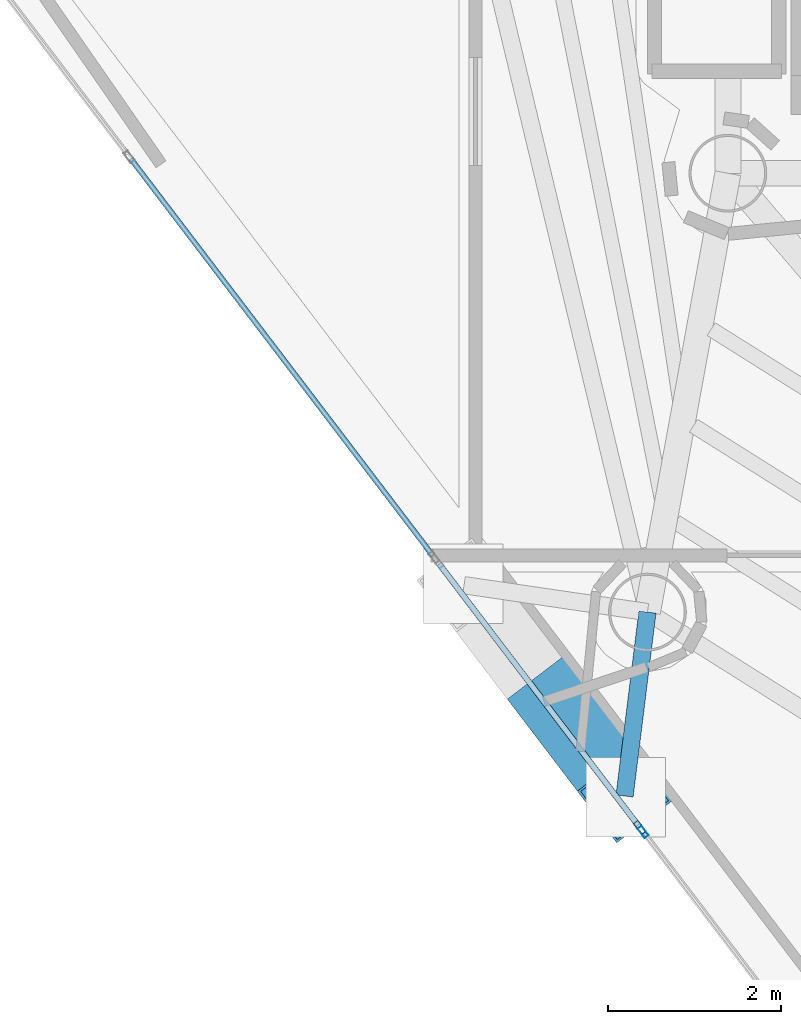
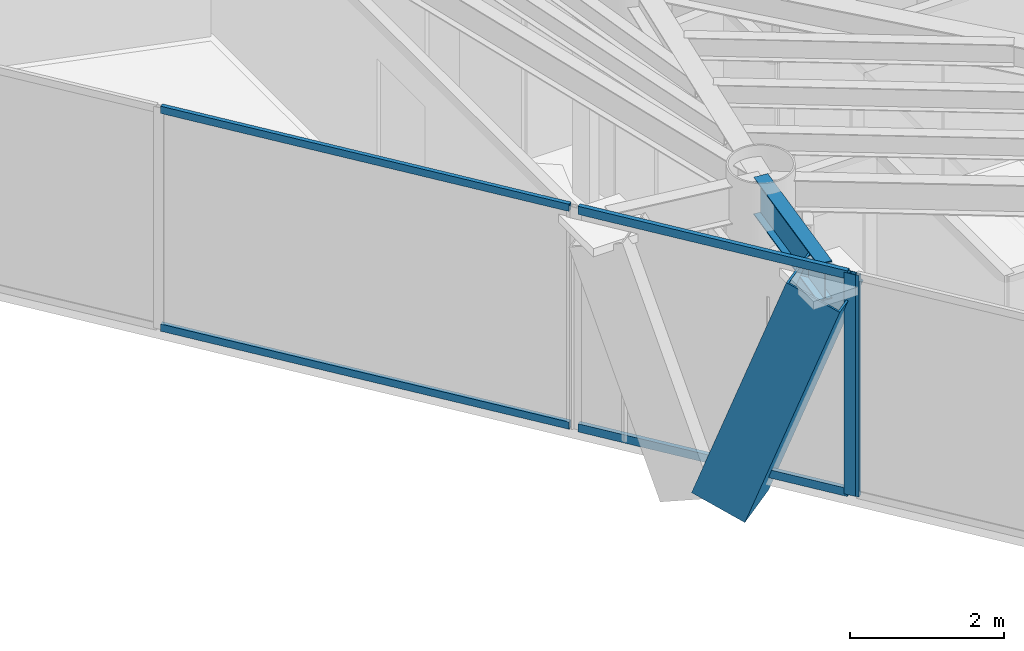
# One storey, part 3 of 24: 7 members, 1 beam, 3 elements without a shape of their own.
"""IFC4 building model written with IfcOpenShell, lengths in metres."""

from ifc_helpers import new_model, si_unit, direction, frame, origin, origin_2d, place, context, subcontext, project, spatial, hollow_rectangle, i_section, extrude, material, layer, layer_set, material_profile, profile_set, type_object, element, aggregate, save


model = new_model("IFC4")

# Units and contexts
model_context = context("Model", 3, precision=1e-05, world=origin(), true_north=direction((0.0, 1.0)))
body_context = subcontext(model_context, "Body", "Model", "MODEL_VIEW")
ifc_project = project(units=[si_unit("LENGTHUNIT", "METRE"), si_unit("AREAUNIT", "SQUARE_METRE"), si_unit("VOLUMEUNIT", "CUBIC_METRE"), si_unit("PLANEANGLEUNIT", "RADIAN"), si_unit("MASSUNIT", "GRAM", prefix="KILO")], contexts=[model_context])

# Site, building, storey
site_placement = place(None, origin())
site = spatial("IfcSite", under=ifc_project, at=site_placement, CompositionType="ELEMENT")
building_placement = place(site_placement, origin())
building = spatial("IfcBuilding", under=site, at=building_placement, Name="Qianvela Tower", CompositionType="ELEMENT")
storey_placement = place(building_placement, frame((0.0, 0.0, 306.5)))
storey = spatial("IfcBuildingStorey", under=building, at=storey_placement, Name="L79", CompositionType="ELEMENT", Elevation=306.5)

# Beam
ifc_material_1 = material(Name="Steel Q355B", Category="steel")
ifc_material_profile_1 = material_profile(ifc_material_1, i_section(OverallWidth=0.199951171875, OverallDepth=0.60009765625, WebThickness=0.010986328125, FlangeThickness=0.01708984375, at=origin_2d()), Name="HN600x200x11x17")
ifc_profile_set_1 = profile_set([ifc_material_profile_1], Name="Steel Q355B")
beam_type = type_object("IfcBeamType", Name="BM-HN600-GIRD", PredefinedType="BEAM", material=ifc_profile_set_1)
beam_placement = place(storey_placement, frame((27.669921875, 18.77392578125, 3.218017578125), z_axis=(-0.123544221286, -0.992339067752, 0.0), x_axis=(0.992339067752, -0.123544221286, 0.0)))
element("IfcBeam", 1, at=beam_placement, inside=storey, type_object=beam_type, Name="L79 Mega-Brace Column Tie Bracket F2-2", PredefinedType="BEAM", context=body_context, shape_type="SweptSolid", body=[
    extrude(i_section(OverallWidth=0.199951171875, OverallDepth=0.60009765625, WebThickness=0.010986328125, FlangeThickness=0.01708984375, at=origin_2d()), origin(), (0.0, 0.0, 1.0), 2.14404296875),
])

# Curtain wall, members
ifc_material_2 = material(Name="Anodised Architectural Aluminium and Insulated Spandrel Panel", Category="aluminium")
ifc_layer_1 = layer(ifc_material_2, 0.179931640625)
ifc_layer_set_1 = layer_set([ifc_layer_1], Name="Anodised Architectural Aluminium and Insulated Spandrel Panel")
curtain_wall_type_1 = type_object("IfcCurtainWallType", Name="CW-BRACEBAY", PredefinedType="USERDEFINED", material=ifc_layer_set_1)
curtain_wall_1_placement = place(storey_placement, origin())
curtain_wall_1 = element("IfcCurtainWall", 2, at=curtain_wall_1_placement, inside=storey, type_object=curtain_wall_type_1, Name="L79 CW-BRACEBAY Curtain Wall 04B", ObjectType="CURTAIN_WALL_SYSTEM", PredefinedType="USERDEFINED")
ifc_material_3 = material(Name="Anodised Architectural Aluminium 6063-T6", Category="aluminium")
ifc_material_profile_2 = material_profile(ifc_material_3, hollow_rectangle(XDim=0.06494140625, YDim=0.159912109375, WallThickness=0.0048828125, at=origin_2d()), Name="ALU-MULL-65x160")
ifc_profile_set_2 = profile_set([ifc_material_profile_2], Name="Anodised Architectural Aluminium 6063-T6")
member_type_1 = type_object("IfcMemberType", Name="CW-BRACEBAY-MULL", PredefinedType="MULLION", material=ifc_profile_set_2)
member_1_placement = place(storey_placement, frame((27.581298828125, 16.282470703125, 0.0), z_axis=(0.0, 0.0, 1.0), x_axis=(0.795686325614, 0.605708899745, 0.0)))
member_1 = element("IfcMember", 3, at=member_1_placement, type_object=member_type_1, Name="CW-9 mullion 2", PredefinedType="MULLION", context=body_context, shape_type="SweptSolid", body=[
    extrude(hollow_rectangle(XDim=0.06494140625, YDim=0.159912109375, WallThickness=0.0048828125, at=origin_2d()), origin(), (0.0, 0.0, 1.0), 3.52001953125),
])
ifc_material_4 = material(Name="Anodised Architectural Aluminium 6063-T6", Category="aluminium")
ifc_material_profile_3 = material_profile(ifc_material_4, hollow_rectangle(XDim=0.06494140625, YDim=0.1298828125, WallThickness=0.00439453125, at=origin_2d()), Name="ALU-TRAN-65x130")
ifc_profile_set_3 = profile_set([ifc_material_profile_3], Name="Anodised Architectural Aluminium 6063-T6")
member_type_2 = type_object("IfcMemberType", Name="CW-BRACEBAY-TRAN", PredefinedType="USERDEFINED", material=ifc_profile_set_3)
member_2_placement = place(storey_placement, frame((25.260009765625, 19.331787109375, 0.032470703125), z_axis=(0.60571022653, -0.79568531561, 0.0), x_axis=(0.79568531561, 0.60571022653, 0.0)))
member_2 = element("IfcMember", 4, at=member_2_placement, type_object=member_type_2, Name="CW-9 transom 1.1", ObjectType="TRANSOM", PredefinedType="USERDEFINED", context=body_context, shape_type="SweptSolid", body=[
    extrude(hollow_rectangle(XDim=0.06494140625, YDim=0.1298828125, WallThickness=0.00439453125, at=origin_2d()), origin(), (0.0, 0.0, 1.0), 3.800048828125),
])
member_3_placement = place(storey_placement, frame((25.260009765625, 19.331787109375, 3.487548828125), z_axis=(0.60571022653, -0.79568531561, 0.0), x_axis=(0.79568531561, 0.60571022653, 0.0)))
member_3 = element("IfcMember", 5, at=member_3_placement, type_object=member_type_2, Name="CW-9 transom 1.2", ObjectType="TRANSOM", PredefinedType="USERDEFINED", context=body_context, shape_type="SweptSolid", body=[
    extrude(hollow_rectangle(XDim=0.06494140625, YDim=0.1298828125, WallThickness=0.00439453125, at=origin_2d()), origin(), (0.0, 0.0, 1.0), 3.800048828125),
])
aggregate(curtain_wall_1, [member_1, member_2, member_3])

# Curtain wall, member
ifc_material_5 = material(Name="Anodised Architectural Aluminium and Low-E Glass", Category="aluminium")
ifc_layer_2 = layer(ifc_material_5, 0.14990234375)
ifc_layer_set_2 = layer_set([ifc_layer_2], Name="Anodised Architectural Aluminium and Low-E Glass")
curtain_wall_type_2 = type_object("IfcCurtainWallType", Name="CW-COLIV-Z78", PredefinedType="USERDEFINED", material=ifc_layer_set_2)
curtain_wall_2_placement = place(storey_placement, origin())
curtain_wall_2 = element("IfcCurtainWall", 6, at=curtain_wall_2_placement, inside=storey, type_object=curtain_wall_type_2, Name="L79 CW-COLIV-Z78 Curtain Wall 04C", ObjectType="CURTAIN_WALL_SYSTEM", PredefinedType="USERDEFINED")
ifc_material_6 = material(Name="Anodised Architectural Aluminium 6063-T6", Category="aluminium")
ifc_material_profile_4 = material_profile(ifc_material_6, hollow_rectangle(XDim=0.06005859375, YDim=0.139892578125, WallThickness=0.00439453125, at=origin_2d()), Name="ALU-MULL-60x140")
ifc_profile_set_4 = profile_set([ifc_material_profile_4], Name="Anodised Architectural Aluminium 6063-T6")
member_type_3 = type_object("IfcMemberType", Name="CW-COLIV-Z78-MULL", PredefinedType="MULLION", material=ifc_profile_set_4)
member_4_placement = place(storey_placement, frame((27.619384765625, 16.232666015625, 0.0), z_axis=(0.0, 0.0, 1.0), x_axis=(0.795686645152, 0.605708479986, 0.0)))
member_4 = element("IfcMember", 7, at=member_4_placement, type_object=member_type_3, Name="CW-6 mullion 1", PredefinedType="MULLION", context=body_context, shape_type="SweptSolid", body=[
    extrude(hollow_rectangle(XDim=0.06005859375, YDim=0.139892578125, WallThickness=0.00439453125, at=origin_2d()), origin(), (0.0, 0.0, 1.0), 3.52001953125),
])
aggregate(curtain_wall_2, [member_4])

# Curtain wall, members
curtain_wall_3_placement = place(storey_placement, origin())
curtain_wall_3 = element("IfcCurtainWall", 8, at=curtain_wall_3_placement, inside=storey, type_object=curtain_wall_type_2, Name="L79 CW-COLIV-Z78 Curtain Wall 04A", ObjectType="CURTAIN_WALL_SYSTEM", PredefinedType="USERDEFINED")
ifc_material_7 = material(Name="Anodised Architectural Aluminium 6063-T6", Category="aluminium")
ifc_material_profile_5 = material_profile(ifc_material_7, hollow_rectangle(XDim=0.06005859375, YDim=0.114990234375, WallThickness=0.00390625, at=origin_2d()), Name="ALU-TRAN-60x115")
ifc_profile_set_5 = profile_set([ifc_material_profile_5], Name="Anodised Architectural Aluminium 6063-T6")
member_type_4 = type_object("IfcMemberType", Name="CW-COLIV-Z78-TRAN", PredefinedType="USERDEFINED", material=ifc_profile_set_5)
member_5_placement = place(storey_placement, frame((21.6923828125, 24.018310546875, 0.030029296875), z_axis=(0.605710146431, -0.795685376585, 0.0), x_axis=(0.795685376585, 0.605710146431, 0.0)))
member_5 = element("IfcMember", 9, at=member_5_placement, type_object=member_type_4, Name="CW-6 transom 2.1", ObjectType="TRANSOM", PredefinedType="USERDEFINED", context=body_context, shape_type="SweptSolid", body=[
    extrude(hollow_rectangle(XDim=0.06005859375, YDim=0.114990234375, WallThickness=0.00390625, at=origin_2d()), origin(), (0.0, 0.0, 1.0), 5.76513671875),
])
member_6_placement = place(storey_placement, frame((21.6923828125, 24.018310546875, 3.489990234375), z_axis=(0.605710146431, -0.795685376585, 0.0), x_axis=(0.795685376585, 0.605710146431, 0.0)))
member_6 = element("IfcMember", 10, at=member_6_placement, type_object=member_type_4, Name="CW-6 transom 2.2", ObjectType="TRANSOM", PredefinedType="USERDEFINED", context=body_context, shape_type="SweptSolid", body=[
    extrude(hollow_rectangle(XDim=0.06005859375, YDim=0.114990234375, WallThickness=0.00390625, at=origin_2d()), origin(), (0.0, 0.0, 1.0), 5.76513671875),
])
aggregate(curtain_wall_3, [member_5, member_6])

# Member
ifc_material_8 = material(Name="Steel Q420GJC", Category="steel")
ifc_material_profile_6 = material_profile(ifc_material_8, hollow_rectangle(XDim=0.800048828125, YDim=0.800048828125, WallThickness=0.028076171875, at=origin_2d()), Name="MBOX-800x800x28")
ifc_profile_set_6 = profile_set([ifc_material_profile_6], Name="Steel Q420GJC")
member_type_5 = type_object("IfcMemberType", Name="MBR-MBRACE-800", PredefinedType="BRACE", material=ifc_profile_set_6)
member_7_placement = place(storey_placement, frame((26.59423828125, 17.711181640625, -0.48193359375), z_axis=(0.206066657113, -0.270660270499, 0.94036139372), x_axis=(0.795645216522, 0.605762898687, 0.0)))
element("IfcMember", 11, at=member_7_placement, inside=storey, type_object=member_type_5, Name="L79 Tier 13 Exterior Mega-Brace F2B", PredefinedType="BRACE", context=body_context, shape_type="SweptSolid", body=[
    extrude(hollow_rectangle(XDim=0.800048828125, YDim=0.800048828125, WallThickness=0.028076171875, at=origin_2d()), origin(), (0.0, 0.0, 1.0), 3.9345703125),
])

save(model, "model.ifc")
